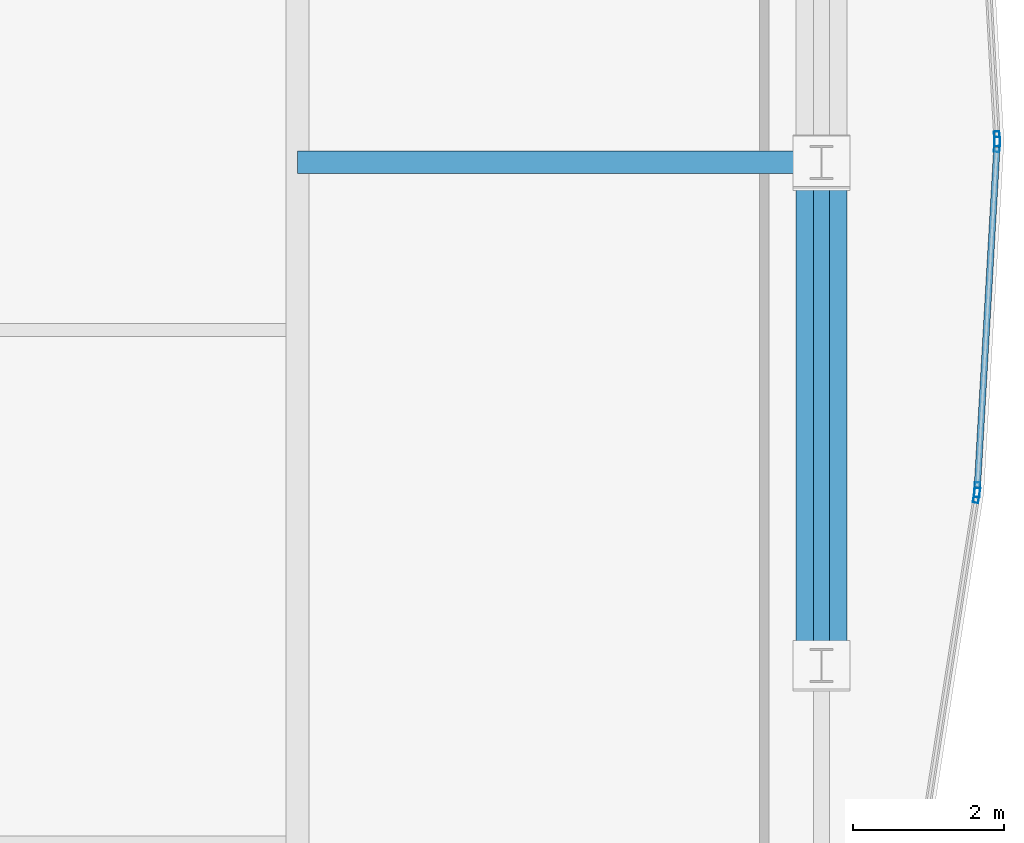
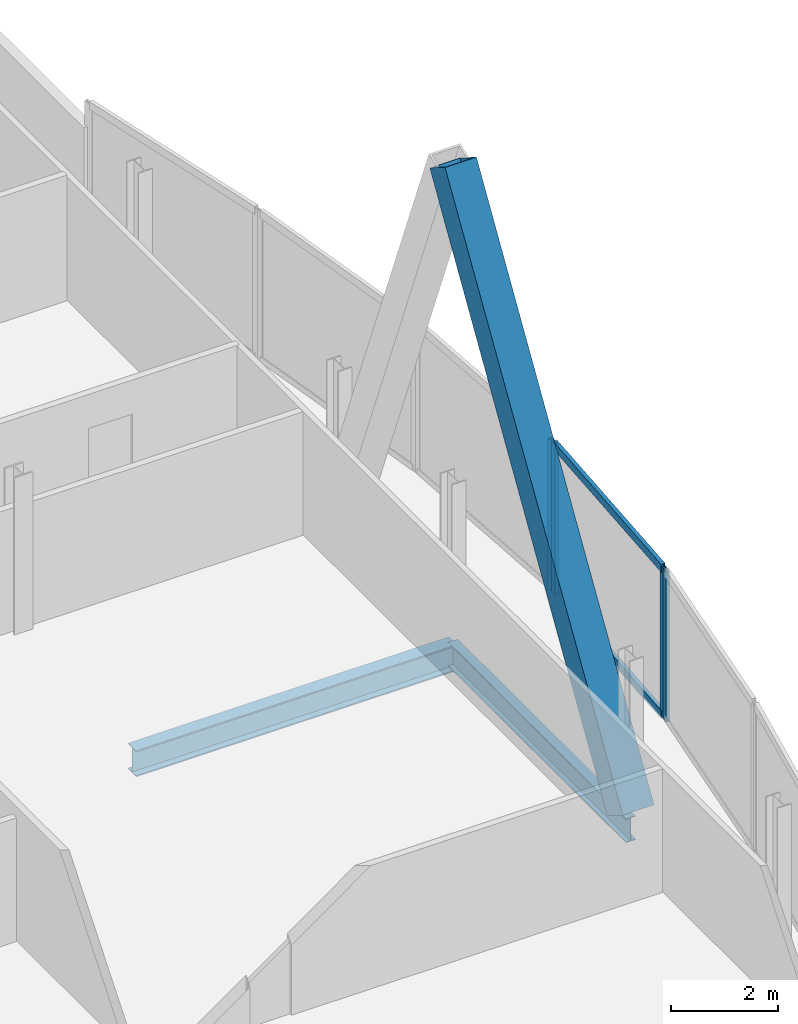
# One storey, part 17 of 29: 7 members, 2 beams, 3 elements without a shape of their own.
"""IFC4 building model written with IfcOpenShell, lengths in metres."""

from ifc_helpers import new_model, si_unit, direction, frame, origin, origin_2d, place, context, subcontext, project, spatial, hollow_rectangle, i_section, extrude, material, material_profile, profile_set, type_object, element, aggregate, save


model = new_model("IFC4")

# Units and contexts
model_context = context("Model", 3, precision=1e-05, world=origin(), true_north=direction((0.0, 1.0)))
body_context = subcontext(model_context, "Body", "Model", "MODEL_VIEW")
ifc_project = project(units=[si_unit("LENGTHUNIT", "METRE"), si_unit("AREAUNIT", "SQUARE_METRE"), si_unit("VOLUMEUNIT", "CUBIC_METRE"), si_unit("PLANEANGLEUNIT", "RADIAN"), si_unit("MASSUNIT", "GRAM", prefix="KILO")], contexts=[model_context])

# Site, building, storey
site_placement = place(None, origin())
site = spatial("IfcSite", under=ifc_project, at=site_placement, CompositionType="ELEMENT")
building_placement = place(site_placement, origin())
building = spatial("IfcBuilding", under=site, at=building_placement, Name="Khoronbel Lancet Exchange", CompositionType="ELEMENT")
storey_placement = place(building_placement, frame((0.0, 0.0, 314.60009765625)))
storey = spatial("IfcBuildingStorey", under=building, at=storey_placement, Name="L81", CompositionType="ELEMENT", Elevation=314.60009765625)

# Beams
ifc_material_1 = material(Name="Steel S355", Category="steel")
ifc_material_profile_1 = material_profile(ifc_material_1, i_section(OverallWidth=0.300048828125, OverallDepth=0.60009765625, WebThickness=0.015380859375, FlangeThickness=0.030029296875, at=origin_2d()), Name="HEB 600")
ifc_profile_set_1 = profile_set([ifc_material_profile_1], Name="Steel S355")
beam_type_1 = type_object("IfcBeamType", Name="BM-BG5", PredefinedType="BEAM", material=ifc_profile_set_1)
beam_1_placement = place(storey_placement, frame((54.675048828125, 31.425048828125, -0.460205078125), z_axis=(1.0, 0.0, 0.0), x_axis=(0.0, 1.0, 0.0)))
element("IfcBeam", 1, at=beam_1_placement, inside=storey, type_object=beam_type_1, Name="Level L81 east lens tie girder LG2E", PredefinedType="BEAM", context=body_context, shape_type="SweptSolid", body=[
    extrude(i_section(OverallWidth=0.300048828125, OverallDepth=0.60009765625, WebThickness=0.015380859375, FlangeThickness=0.030029296875, at=origin_2d()), origin(), (0.0, 0.0, 1.0), 6.954833984375),
])
ifc_material_profile_2 = material_profile(ifc_material_1, i_section(OverallWidth=0.2099609375, OverallDepth=0.550048828125, WebThickness=0.010986328125, FlangeThickness=0.01708984375, at=origin_2d()), Name="IPE 550")
ifc_profile_set_2 = profile_set([ifc_material_profile_2], Name="Steel S355")
beam_type_2 = type_object("IfcBeamType", Name="BM-BSP3", PredefinedType="SPANDREL", material=ifc_profile_set_2)
beam_2_placement = place(storey_placement, frame((61.6298828125, 24.75, -0.43505859375), z_axis=(0.0, 1.0, 0.0), x_axis=(-1.0, 0.0, 0.0)))
element("IfcBeam", 2, at=beam_2_placement, inside=storey, type_object=beam_type_2, Name="Level L81 perimeter spandrel beam SP09", PredefinedType="SPANDREL", context=body_context, shape_type="SweptSolid", body=[
    extrude(i_section(OverallWidth=0.2099609375, OverallDepth=0.550048828125, WebThickness=0.010986328125, FlangeThickness=0.01708984375, at=origin_2d()), origin(), (0.0, 0.0, 1.0), 6.675048828125),
])

# Curtain wall, member
ifc_material_2 = material(Name="Low-E Solar Control Insulating Glass", Category="glass")
curtain_wall_type = type_object("IfcCurtainWallType", Name="CW-4", PredefinedType="NOTDEFINED", material=ifc_material_2)
curtain_wall_1_placement = place(storey_placement, origin())
curtain_wall_1 = element("IfcCurtainWall", 3, at=curtain_wall_1_placement, inside=storey, type_object=curtain_wall_type, Name="Unitised curtain wall CW-L81-E19", PredefinedType="NOTDEFINED")
ifc_material_3 = material(Name="Bronze-Anodised Aluminium 6063-T6", Category="aluminium")
ifc_material_profile_3 = material_profile(ifc_material_3, hollow_rectangle(XDim=0.074951171875, YDim=0.199951171875, WallThickness=0.0048828125, at=origin_2d()), Name="ALU MULLION 75x200")
ifc_profile_set_3 = profile_set([ifc_material_profile_3], Name="Bronze-Anodised Aluminium 6063-T6")
member_type_1 = type_object("IfcMemberType", Name="MEM-CWM2", PredefinedType="MULLION", material=ifc_profile_set_3)
member_1_placement = place(storey_placement, frame((63.96044921875, 31.737548828125, 0.0), z_axis=(0.0, 0.0, 1.0), x_axis=(0.998350757179, 0.057408759259, 0.0)))
member_1 = element("IfcMember", 4, at=member_1_placement, type_object=member_type_1, Name="CW4 mullion 2", PredefinedType="MULLION", context=body_context, shape_type="SweptSolid", body=[
    extrude(hollow_rectangle(XDim=0.074951171875, YDim=0.199951171875, WallThickness=0.0048828125, at=origin_2d()), origin(), (0.0, 0.0, 1.0), 3.43994140625),
])
aggregate(curtain_wall_1, [member_1])

# Curtain wall, members
curtain_wall_2_placement = place(storey_placement, origin())
curtain_wall_2 = element("IfcCurtainWall", 5, at=curtain_wall_2_placement, inside=storey, type_object=curtain_wall_type, Name="Unitised curtain wall CW-L81-E20", PredefinedType="NOTDEFINED")
member_2_placement = place(storey_placement, frame((63.96044921875, 31.66259765625, 0.0), z_axis=(0.0, 0.0, 1.0), x_axis=(0.998350757179, -0.057408759259, 0.0)))
member_2 = element("IfcMember", 6, at=member_2_placement, type_object=member_type_1, Name="CW4 mullion 1", PredefinedType="MULLION", context=body_context, shape_type="SweptSolid", body=[
    extrude(hollow_rectangle(XDim=0.074951171875, YDim=0.199951171875, WallThickness=0.0048828125, at=origin_2d()), origin(), (0.0, 0.0, 1.0), 3.43994140625),
])
member_3_placement = place(storey_placement, frame((63.69677734375, 27.080322265625, 0.0), z_axis=(0.0, 0.0, 1.0), x_axis=(0.998350757179, -0.057408759259, 0.0)))
member_3 = element("IfcMember", 7, at=member_3_placement, type_object=member_type_1, Name="CW4 mullion 2", PredefinedType="MULLION", context=body_context, shape_type="SweptSolid", body=[
    extrude(hollow_rectangle(XDim=0.074951171875, YDim=0.199951171875, WallThickness=0.0048828125, at=origin_2d()), origin(), (0.0, 0.0, 1.0), 3.43994140625),
])

# Curtain wall, member
curtain_wall_3_placement = place(storey_placement, origin())
curtain_wall_3 = element("IfcCurtainWall", 8, at=curtain_wall_3_placement, inside=storey, type_object=curtain_wall_type, Name="Unitised curtain wall CW-L81-E21", PredefinedType="NOTDEFINED")
member_4_placement = place(storey_placement, frame((63.68896484375, 27.005859375, 0.0), z_axis=(0.0, 0.0, 1.0), x_axis=(0.987888641158, -0.155164534193, 0.0)))
member_4 = element("IfcMember", 9, at=member_4_placement, type_object=member_type_1, Name="CW4 mullion 1", PredefinedType="MULLION", context=body_context, shape_type="SweptSolid", body=[
    extrude(hollow_rectangle(XDim=0.074951171875, YDim=0.199951171875, WallThickness=0.0048828125, at=origin_2d()), origin(), (0.0, 0.0, 1.0), 3.43994140625),
])
aggregate(curtain_wall_3, [member_4])

# Member
ifc_material_profile_4 = material_profile(ifc_material_3, hollow_rectangle(XDim=0.0849609375, YDim=0.179931640625, WallThickness=0.0048828125, at=origin_2d()), Name="ALU TRANSOM 85x180")
ifc_profile_set_4 = profile_set([ifc_material_profile_4], Name="Bronze-Anodised Aluminium 6063-T6")
member_type_2 = type_object("IfcMemberType", Name="MEM-CWT1", PredefinedType="USERDEFINED", material=ifc_profile_set_4)
member_5_placement = place(storey_placement, frame((63.958251953125, 31.625244140625, 0.04248046875), z_axis=(-0.05742552565, -0.99834979291, 0.0), x_axis=(0.99834979291, -0.05742552565, 0.0)))
member_5 = element("IfcMember", 10, at=member_5_placement, type_object=member_type_2, Name="CW4 transom 1.1", ObjectType="TRANSOM", PredefinedType="USERDEFINED", context=body_context, shape_type="SweptSolid", body=[
    extrude(hollow_rectangle(XDim=0.0849609375, YDim=0.179931640625, WallThickness=0.0048828125, at=origin_2d()), origin(), (0.0, 0.0, 1.0), 4.51513671875),
])

member_6_placement = place(storey_placement, frame((63.958251953125, 31.625244140625, 3.3974609375), z_axis=(-0.05742552565, -0.99834979291, 0.0), x_axis=(0.99834979291, -0.05742552565, 0.0)))
member_6 = element("IfcMember", 11, at=member_6_placement, type_object=member_type_2, Name="CW4 transom 1.2", ObjectType="TRANSOM", PredefinedType="USERDEFINED", context=body_context, shape_type="SweptSolid", body=[
    extrude(hollow_rectangle(XDim=0.0849609375, YDim=0.179931640625, WallThickness=0.0048828125, at=origin_2d()), origin(), (0.0, 0.0, 1.0), 4.51513671875),
])

aggregate(curtain_wall_2, [member_2, member_3, member_5, member_6])

ifc_material_4 = material(Name="Steel S460", Category="steel")
ifc_material_profile_5 = material_profile(ifc_material_4, hollow_rectangle(XDim=0.679931640625, YDim=0.679931640625, WallThickness=0.044921875, at=origin_2d()), Name="BOX 680x680x45")
ifc_profile_set_5 = profile_set([ifc_material_profile_5], Name="Steel S460")
member_type_3 = type_object("IfcMemberType", Name="MEM-MB3", PredefinedType="BRACE", material=ifc_profile_set_5)
member_7_placement = place(storey_placement, frame((61.6298828125, 24.75, 0.0), z_axis=(0.0, 0.525754049787, 0.850636631666), x_axis=(-1.0, 0.0, 0.0)))
element("IfcMember", 12, at=member_7_placement, inside=storey, type_object=member_type_3, Name="Perimeter lancet brace tier 28 E-P-L", PredefinedType="BRACE", context=body_context, shape_type="SweptSolid", body=[
    extrude(hollow_rectangle(XDim=0.679931640625, YDim=0.679931640625, WallThickness=0.044921875, at=origin_2d()), origin(), (0.0, 0.0, 1.0), 12.696044921875),
])

save(model, "model.ifc")
